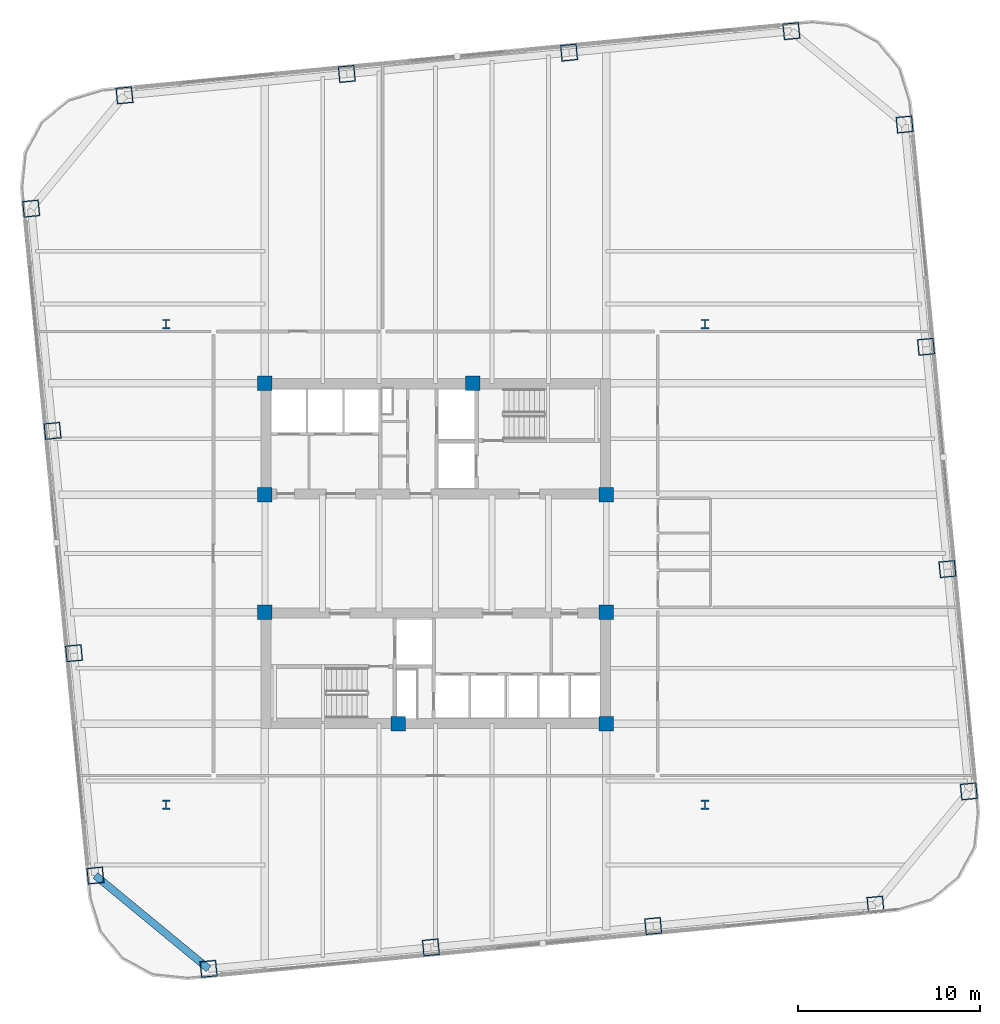
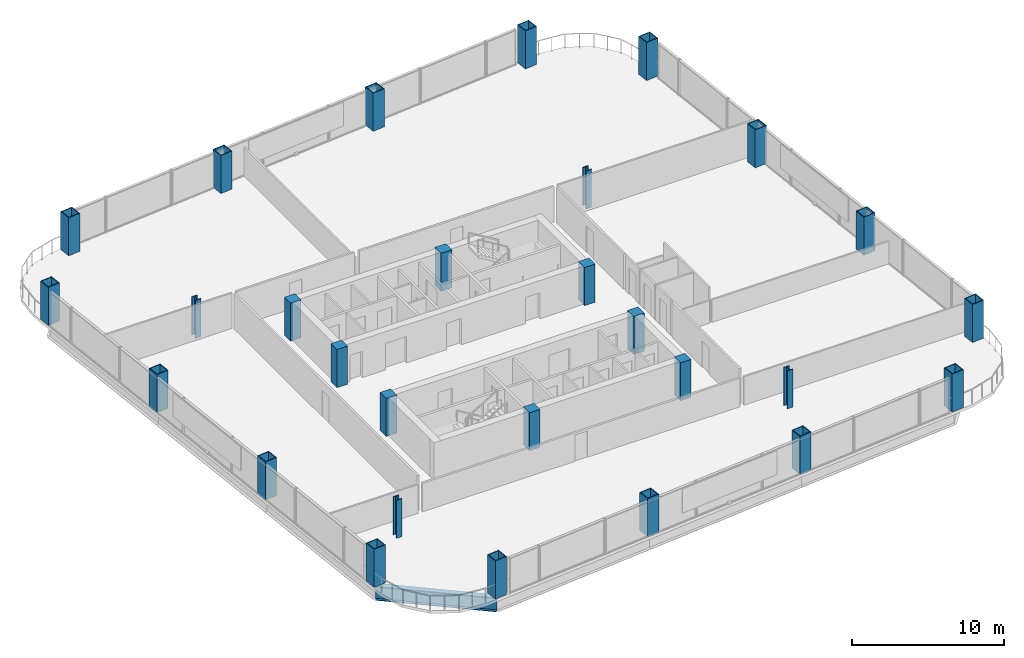
# One storey, part 1 of 26: 28 columns, 1 beam.
"""IFC4 building model written with IfcOpenShell, lengths in metres."""

from ifc_helpers import new_model, si_unit, direction, frame, origin, origin_2d, place, context, subcontext, project, spatial, rectangle, hollow_rectangle, i_section, extrude, material, material_profile, profile_set, type_object, element, save


model = new_model("IFC4")

# Units and contexts
model_context = context("Model", 3, precision=1e-05, world=origin(), true_north=direction((0.0, 1.0)))
body_context = subcontext(model_context, "Body", "Model", "MODEL_VIEW")
ifc_project = project(units=[si_unit("LENGTHUNIT", "METRE"), si_unit("AREAUNIT", "SQUARE_METRE"), si_unit("VOLUMEUNIT", "CUBIC_METRE"), si_unit("PLANEANGLEUNIT", "RADIAN"), si_unit("MASSUNIT", "GRAM", prefix="KILO")], contexts=[model_context])

# Site, building, storey
site_placement = place(None, origin())
site = spatial("IfcSite", under=ifc_project, at=site_placement, CompositionType="ELEMENT")
building_placement = place(site_placement, origin())
building = spatial("IfcBuilding", under=site, at=building_placement, Name="Qhalaya Broadcast Tower", CompositionType="ELEMENT")
storey_placement = place(building_placement, frame((0.0, 0.0, 72.5)))
storey = spatial("IfcBuildingStorey", under=building, at=storey_placement, Name="L20", CompositionType="ELEMENT", Elevation=72.5)

# Columns
ifc_material_1 = material(Name="Concrete C50/60", Category="concrete")
ifc_material_profile_1 = material_profile(ifc_material_1, rectangle(XDim=0.800048828125, YDim=0.800048828125, at=origin_2d()), Name="RC-COL 800x800")
ifc_profile_set_1 = profile_set([ifc_material_profile_1], Name="Concrete C50/60")
column_type_1 = type_object("IfcColumnType", Name="RC Upper Column C10", PredefinedType="COLUMN", material=ifc_profile_set_1)
for number, where, z_axis, x_axis, name in (
    (1, (-9.375, 9.949951171875, 0.0), (0.0, 0.0, 1.0), (1.0, 0.0, 0.0), "L20 Column COL-CC1"),
    (2, (2.050048828125, 9.949951171875, 0.0), (0.0, 0.0, 1.0), (1.0, 0.0, 0.0), "L20 Column COL-CC2"),
    (3, (-9.375, 3.824951171875, 0.0), (0.0, 0.0, 1.0), (1.0, 0.0, 0.0), "L20 Column COL-CC3"),
    (4, (9.375, 3.824951171875, 0.0), (0.0, 0.0, 1.0), (1.0, 0.0, 0.0), "L20 Column COL-CC4"),
    (5, (-9.375, -2.625, 0.0), (0.0, 0.0, 1.0), (1.0, 0.0, 0.0), "L20 Column COL-CC5"),
    (6, (9.375, -2.625, 0.0), (0.0, 0.0, 1.0), (1.0, 0.0, 0.0), "L20 Column COL-CC6"),
    (7, (-2.050048828125, -8.75, 0.0), (0.0, 0.0, 1.0), (1.0, 0.0, 0.0), "L20 Column COL-CC7"),
    (8, (9.375, -8.75, 0.0), (0.0, 0.0, 1.0), (1.0, 0.0, 0.0), "L20 Column COL-CC8"),
):
    element("IfcColumn", number, at=place(storey_placement, frame(where, z_axis=z_axis, x_axis=x_axis)), inside=storey, type_object=column_type_1, Name=name, PredefinedType="COLUMN", context=body_context, shape_type="SweptSolid", body=[
        extrude(rectangle(XDim=0.800048828125, YDim=0.800048828125, at=origin_2d()), origin(), (0.0, 0.0, 1.0), 3.050048828125),
    ])
ifc_material_2 = material(Name="Structural Steel ASTM A992 Grade 50", Category="steel")
ifc_material_profile_2 = material_profile(ifc_material_2, i_section(OverallWidth=0.41796875, OverallDepth=0.510009765625, WebThickness=0.0419921875, FlangeThickness=0.067626953125, at=origin_2d()), Name="W14X370")
ifc_profile_set_2 = profile_set([ifc_material_profile_2], Name="Structural Steel ASTM A992 Grade 50")
column_type_2 = type_object("IfcColumnType", Name="Rolled Gravity Column C06", PredefinedType="COLUMN", material=ifc_profile_set_2)
for number, where, z_axis, x_axis, name in (
    (9, (-14.800048828125, -13.199951171875, 0.0), (0.0, 0.0, 1.0), (1.0, 0.0, 0.0), "L20 Column COL-GR1"),
    (10, (14.800048828125, -13.199951171875, 0.0), (0.0, 0.0, 1.0), (1.0, 0.0, 0.0), "L20 Column COL-GR2"),
    (11, (-14.800048828125, 13.199951171875, 0.0), (0.0, 0.0, 1.0), (1.0, 0.0, 0.0), "L20 Column COL-GR3"),
    (12, (14.800048828125, 13.199951171875, 0.0), (0.0, 0.0, 1.0), (1.0, 0.0, 0.0), "L20 Column COL-GR4"),
):
    element("IfcColumn", number, at=place(storey_placement, frame(where, z_axis=z_axis, x_axis=x_axis)), inside=storey, type_object=column_type_2, Name=name, PredefinedType="COLUMN", context=body_context, shape_type="SweptSolid", body=[
        extrude(i_section(OverallWidth=0.41796875, OverallDepth=0.510009765625, WebThickness=0.0419921875, FlangeThickness=0.067626953125, at=origin_2d()), origin(), (0.0, 0.0, 1.0), 3.050048828125),
    ])
ifc_material_3 = material(Name="Structural Steel ASTM A572 Grade 50", Category="steel")
ifc_material_profile_3 = material_profile(ifc_material_3, hollow_rectangle(XDim=0.89990234375, YDim=0.89990234375, WallThickness=0.054931640625, at=origin_2d()), Name="BOX 900x900x55")
ifc_profile_set_3 = profile_set([ifc_material_profile_3], Name="Structural Steel ASTM A572 Grade 50")
column_type_3 = type_object("IfcColumnType", Name="Steel Box Column C02", PredefinedType="COLUMN", material=ifc_profile_set_3)
for number, where, z_axis, x_axis, name in (
    (13, (-12.46533203125, -22.212646484375, 0.0), (0.0, 0.0, 1.0), (0.995396198367, 0.09584575252, 0.0), "L20 Column COL-EX01"),
    (14, (-0.255126953125, -21.036865234375, 0.0), (0.0, 0.0, 1.0), (0.995396198367, 0.09584575252, 0.0), "L20 Column COL-EX02"),
    (15, (11.955078125, -19.861083984375, 0.0), (0.0, 0.0, 1.0), (0.995396198367, 0.09584575252, 0.0), "L20 Column COL-EX03"),
    (16, (24.165283203125, -18.685546875, 0.0), (0.0, 0.0, 1.0), (0.995396198367, 0.09584575252, 0.0), "L20 Column COL-EX04"),
    (17, (29.29248046875, -12.46533203125, 0.0), (0.0, 0.0, 1.0), (-0.09584575252, 0.995396198367, 0.0), "L20 Column COL-EX05"),
    (18, (28.116943359375, -0.255126953125, 0.0), (0.0, 0.0, 1.0), (-0.09584575252, 0.995396198367, 0.0), "L20 Column COL-EX06"),
    (19, (26.941162109375, 11.955078125, 0.0), (0.0, 0.0, 1.0), (-0.09584575252, 0.995396198367, 0.0), "L20 Column COL-EX07"),
    (20, (25.765380859375, 24.165283203125, 0.0), (0.0, 0.0, 1.0), (-0.09584575252, 0.995396198367, 0.0), "L20 Column COL-EX08"),
    (21, (19.54541015625, 29.29248046875, 0.0), (0.0, 0.0, 1.0), (0.995396198367, 0.09584575252, 0.0), "L20 Column COL-EX09"),
    (22, (7.335205078125, 28.116943359375, 0.0), (0.0, 0.0, 1.0), (0.995396198367, 0.09584575252, 0.0), "L20 Column COL-EX10"),
    (23, (-4.875, 26.941162109375, 0.0), (0.0, 0.0, 1.0), (0.995396198367, 0.09584575252, 0.0), "L20 Column COL-EX11"),
    (24, (-17.085205078125, 25.765380859375, 0.0), (0.0, 0.0, 1.0), (0.995396198367, 0.09584575252, 0.0), "L20 Column COL-EX12"),
    (25, (-22.212646484375, 19.54541015625, 0.0), (0.0, 0.0, 1.0), (-0.09584575252, 0.995396198367, 0.0), "L20 Column COL-EX13"),
    (26, (-21.036865234375, 7.335205078125, 0.0), (0.0, 0.0, 1.0), (-0.09584575252, 0.995396198367, 0.0), "L20 Column COL-EX14"),
    (27, (-19.861083984375, -4.875, 0.0), (0.0, 0.0, 1.0), (-0.09584575252, 0.995396198367, 0.0), "L20 Column COL-EX15"),
    (28, (-18.685546875, -17.085205078125, 0.0), (0.0, 0.0, 1.0), (-0.09584575252, 0.995396198367, 0.0), "L20 Column COL-EX16"),
):
    element("IfcColumn", number, at=place(storey_placement, frame(where, z_axis=z_axis, x_axis=x_axis)), inside=storey, type_object=column_type_3, Name=name, PredefinedType="COLUMN", context=body_context, shape_type="SweptSolid", body=[
        extrude(hollow_rectangle(XDim=0.89990234375, YDim=0.89990234375, WallThickness=0.054931640625, at=origin_2d()), origin(), (0.0, 0.0, 1.0), 3.050048828125),
    ])

# Beam
ifc_material_profile_4 = material_profile(ifc_material_2, i_section(OverallWidth=0.404052734375, OverallDepth=1.117919921875, WebThickness=0.026123046875, FlangeThickness=0.044921875, at=origin_2d()), Name="W44X335")
ifc_profile_set_4 = profile_set([ifc_material_profile_4], Name="Structural Steel ASTM A992 Grade 50")
beam_type = type_object("IfcBeamType", Name="Podium Long-Span Primary Girder PG1", PredefinedType="USERDEFINED", material=ifc_profile_set_4)
beam_placement = place(storey_placement, frame((-18.685546875, -17.085205078125, -0.779052734375), z_axis=(0.771631160126, -0.636070241972, 0.0), x_axis=(0.636070241972, 0.771631160126, 0.0)))
element("IfcBeam", 29, at=beam_placement, inside=storey, type_object=beam_type, Name="L20 PG1 L20-SPR-16", ObjectType="GIRDER", PredefinedType="USERDEFINED", context=body_context, shape_type="SweptSolid", body=[
    extrude(i_section(OverallWidth=0.404052734375, OverallDepth=1.117919921875, WebThickness=0.026123046875, FlangeThickness=0.044921875, at=origin_2d()), origin(), (0.0, 0.0, 1.0), 8.06103515625),
])

save(model, "model.ifc")
